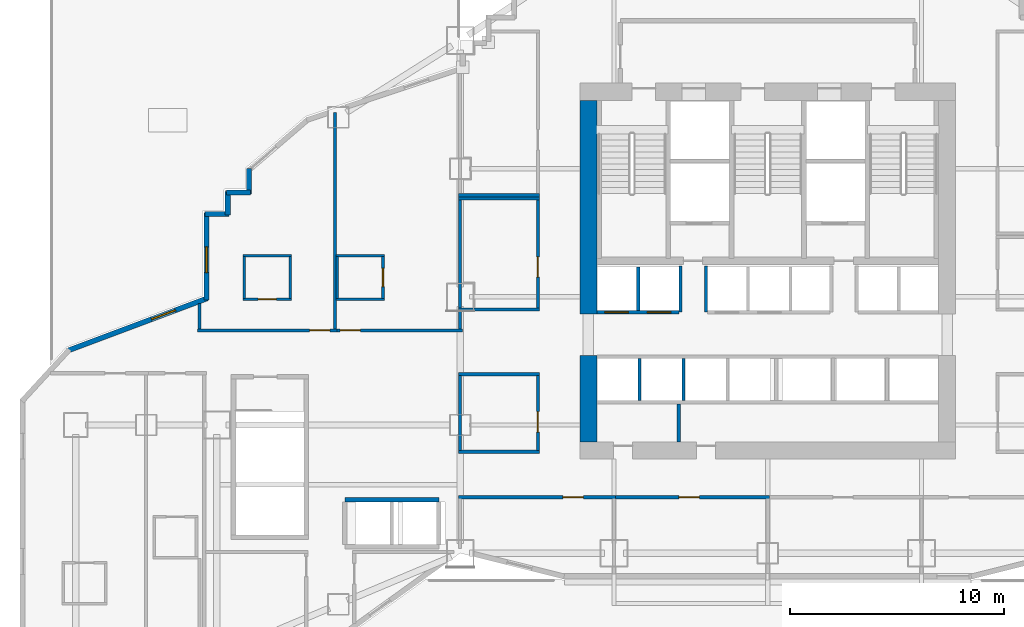
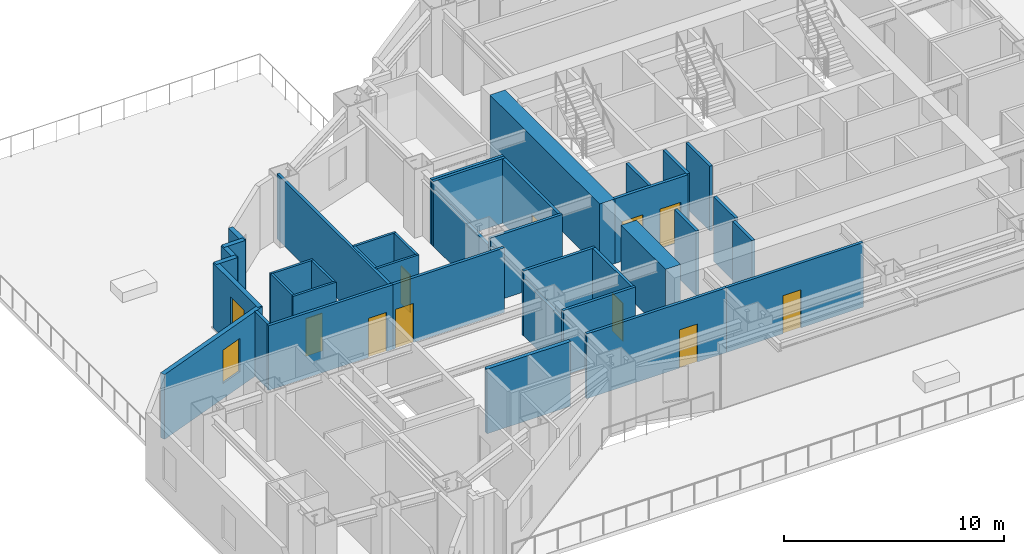
# One storey, part 8 of 20: 40 walls, 10 doors, 2 windows, 12 openings.
"""IFC4 building model written with IfcOpenShell, lengths in metres."""

from ifc_helpers import new_model, si_unit, direction, frame, frame_2d, origin, place, context, subcontext, project, spatial, rectangle, extrude, material, layer, layer_set, type_object, element, fill, save


model = new_model("IFC4")

# Units and contexts
model_context = context("Model", 3, precision=1e-05, world=origin(), true_north=direction((0.0, 1.0)))
body_context = subcontext(model_context, "Body", "Model", "MODEL_VIEW")
ifc_project = project(units=[si_unit("LENGTHUNIT", "METRE"), si_unit("AREAUNIT", "SQUARE_METRE"), si_unit("VOLUMEUNIT", "CUBIC_METRE"), si_unit("PLANEANGLEUNIT", "RADIAN"), si_unit("MASSUNIT", "GRAM", prefix="KILO")], contexts=[model_context])

# Site, building, storey
site_placement = place(None, origin())
site = spatial("IfcSite", under=ifc_project, at=site_placement, CompositionType="ELEMENT")
building_placement = place(site_placement, origin())
building = spatial("IfcBuilding", under=site, at=building_placement, Name="Haolan Belvedere Tower", CompositionType="ELEMENT")
storey_placement = place(building_placement, frame((0.0, 0.0, 24.0)))
storey = spatial("IfcBuildingStorey", under=building, at=storey_placement, Name="L05", CompositionType="ELEMENT", Elevation=24.0)

# Walls
ifc_material_1 = material(Name="Concrete C70/85", Category="concrete")
ifc_layer_1 = layer(ifc_material_1, 0.800048828125, Name="Concrete C70/85")
ifc_layer_set_1 = layer_set([ifc_layer_1], Name="Concrete C70/85")
wall_type_1 = type_object("IfcWallType", Name="WL-CORE-800", PredefinedType="SHEAR", material=ifc_layer_set_1)
wall_1_placement = place(storey_placement, frame((30.0, 26.800048828125, 0.0), z_axis=(0.0, 0.0, 1.0), x_axis=(0.0, 1.0, 0.0)))
element("IfcWall", 1, at=wall_1_placement, inside=storey, type_object=wall_type_1, Name="L05 central core shear wall WS", PredefinedType="SHEAR", context=body_context, shape_type="SweptSolid", body=[
    extrude(rectangle(XDim=4.050048828125, YDim=0.800048828125, at=frame_2d((2.02490234375, 0.0))), origin(), (0.0, 0.0, 1.0), 3.60009765625),
])
wall_2_placement = place(storey_placement, frame((30.0, 32.800048828125, 0.0), z_axis=(0.0, 0.0, 1.0), x_axis=(0.0, 1.0, 0.0)))
element("IfcWall", 2, at=wall_2_placement, inside=storey, type_object=wall_type_1, Name="L05 central core shear wall WN", PredefinedType="SHEAR", context=body_context, shape_type="SweptSolid", body=[
    extrude(rectangle(XDim=10.0, YDim=0.800048828125, at=frame_2d((5.0, 0.0))), origin(), (0.0, 0.0, 1.0), 3.60009765625),
])
ifc_material_2 = material(Name="Precast concrete C40/50", Category="concrete")
ifc_layer_2 = layer(ifc_material_2, 0.239990234375, Name="Precast concrete C40/50")
ifc_layer_set_2 = layer_set([ifc_layer_2], Name="Precast concrete C40/50")
wall_type_2 = type_object("IfcWallType", Name="WL-EXT-240", PredefinedType="SOLIDWALL", material=ifc_layer_set_2)
wall_3_placement = place(storey_placement, frame((14.1201171875, 39.599853515625, 0.0), z_axis=(0.0, 0.0, 1.0), x_axis=(0.0, -1.0, 0.0)))
element("IfcWall", 3, at=wall_3_placement, inside=storey, type_object=wall_type_2, Name="L05 pale-metal exterior spandrel wall 52.1", PredefinedType="SOLIDWALL", context=body_context, shape_type="SweptSolid", body=[
    extrude(rectangle(XDim=1.1748046875, YDim=0.239990234375, at=frame_2d((0.58740234375, 0.0))), origin(), (0.0, 0.0, 1.0), 3.60009765625),
])
wall_4_placement = place(storey_placement, frame((14.175048828125, 38.47998046875, 0.0), z_axis=(0.0, 0.0, 1.0), x_axis=(-1.0, 0.0, 0.0)))
element("IfcWall", 4, at=wall_4_placement, inside=storey, type_object=wall_type_2, Name="L05 pale-metal exterior spandrel wall 53.1", PredefinedType="SOLIDWALL", context=body_context, shape_type="SweptSolid", body=[
    extrude(rectangle(XDim=1.110107421875, YDim=0.239990234375, at=frame_2d((0.55517578125, 0.0))), origin(), (0.0, 0.0, 1.0), 3.60009765625),
])
wall_5_placement = place(storey_placement, frame((13.1201171875, 38.534912109375, 0.0), z_axis=(0.0, 0.0, 1.0), x_axis=(0.0, -1.0, 0.0)))
element("IfcWall", 5, at=wall_5_placement, inside=storey, type_object=wall_type_2, Name="L05 pale-metal exterior spandrel wall 54.1", PredefinedType="SOLIDWALL", context=body_context, shape_type="SweptSolid", body=[
    extrude(rectangle(XDim=1.10986328125, YDim=0.239990234375, at=frame_2d((0.554931640625, 0.0))), origin(), (0.0, 0.0, 1.0), 3.60009765625),
])
wall_6_placement = place(storey_placement, frame((13.175048828125, 37.47998046875, 0.0), z_axis=(0.0, 0.0, 1.0), x_axis=(-1.0, 0.0, 0.0)))
element("IfcWall", 6, at=wall_6_placement, inside=storey, type_object=wall_type_2, Name="L05 pale-metal exterior spandrel wall 55.1", PredefinedType="SOLIDWALL", context=body_context, shape_type="SweptSolid", body=[
    extrude(rectangle(XDim=1.110107421875, YDim=0.239990234375, at=frame_2d((0.55517578125, 0.0))), origin(), (0.0, 0.0, 1.0), 3.60009765625),
])

# Wall, opening, window
wall_7_placement = place(storey_placement, frame((12.1201171875, 37.534912109375, 0.0), z_axis=(0.0, 0.0, 1.0), x_axis=(0.0, -1.0, 0.0)))
wall_7 = element("IfcWall", 7, at=wall_7_placement, inside=storey, type_object=wall_type_2, Name="L05 pale-metal exterior spandrel wall 56.1", PredefinedType="SOLIDWALL", context=body_context, shape_type="SweptSolid", body=[
    extrude(rectangle(XDim=4.072998046875, YDim=0.239990234375, at=frame_2d((2.03662109375, 0.0))), origin(), (0.0, 0.0, 1.0), 3.60009765625),
])
opening_1_placement = place(wall_7_placement, frame((1.60009765625, 0.0, 0.85009765625)))
opening_1 = element("IfcOpeningElement", 8, at=opening_1_placement, cuts=wall_7, Name="Opening W-01", PredefinedType="OPENING", context=body_context, shape_type="SweptSolid", body=[
    extrude(rectangle(XDim=1.199951171875, YDim=1.85009765625, at=frame_2d((0.60009765625, 0.925048828125))), frame((0.0, 0.1298828125, 0.0), z_axis=(0.0, -1.0, 0.0), x_axis=(1.0, 0.0, 0.0)), (0.0, 0.0, 1.0), 0.260009765625),
])
ifc_material_3 = material(Name="Anodised aluminium 6063-T6 and Low-E glass", Category="aluminium")
window_type = type_object("IfcWindowType", Name="WN-DECO-Z1", PartitioningType="SINGLE_PANEL", PredefinedType="WINDOW", material=ifc_material_3)
window_1_placement = place(opening_1_placement, origin())
window_1 = element("IfcWindow", 9, at=window_1_placement, inside=storey, type_object=window_type, Name="L05 Art Deco chevron window 1", OverallHeight=1.85009765625, OverallWidth=1.199951171875, PartitioningType="SINGLE_PANEL", PredefinedType="WINDOW", context=body_context, shape_type="SweptSolid", body=[
    extrude(rectangle(XDim=1.199951171875, YDim=1.85009765625, at=frame_2d((0.60009765625, 0.925048828125))), frame((0.0, 0.030029296875, 0.0), z_axis=(0.0, -1.0, 0.0), x_axis=(1.0, 0.0, 0.0)), (0.0, 0.0, 1.0), 0.06005859375),
])
fill(opening_1, window_1)

wall_8_placement = place(storey_placement, frame((12.17138671875, 33.5361328125, 0.0), z_axis=(0.0, 0.0, 1.0), x_axis=(-0.936327744176, -0.351127263946, 0.0)))
wall_8 = element("IfcWall", 10, at=wall_8_placement, inside=storey, type_object=wall_type_2, Name="L05 pale-metal exterior spandrel wall 57.1", PredefinedType="SOLIDWALL", context=body_context, shape_type="SweptSolid", body=[
    extrude(rectangle(XDim=6.999755859375, YDim=0.239990234375, at=frame_2d((3.5, 0.0))), origin(), (0.0, 0.0, 1.0), 3.60009765625),
])
opening_2_placement = place(wall_8_placement, frame((1.60009765625, 0.0, 0.85009765625)))
opening_2 = element("IfcOpeningElement", 11, at=opening_2_placement, cuts=wall_8, Name="Opening W-01", PredefinedType="OPENING", context=body_context, shape_type="SweptSolid", body=[
    extrude(rectangle(XDim=1.199951171875, YDim=1.85009765625, at=frame_2d((0.60009765625, 0.925048828125))), frame((0.0, 0.1298828125, 0.0), z_axis=(0.0, -1.0, 0.0), x_axis=(1.0, 0.0, 0.0)), (0.0, 0.0, 1.0), 0.260009765625),
])
window_2_placement = place(opening_2_placement, origin())
window_2 = element("IfcWindow", 12, at=window_2_placement, inside=storey, type_object=window_type, Name="L05 Art Deco chevron window 1", OverallHeight=1.85009765625, OverallWidth=1.199951171875, PartitioningType="SINGLE_PANEL", PredefinedType="WINDOW", context=body_context, shape_type="SweptSolid", body=[
    extrude(rectangle(XDim=1.199951171875, YDim=1.85009765625, at=frame_2d((0.60009765625, 0.925048828125))), frame((0.0, 0.030029296875, 0.0), z_axis=(0.0, -1.0, 0.0), x_axis=(1.0, 0.0, 0.0)), (0.0, 0.0, 1.0), 0.06005859375),
])
fill(opening_2, window_2)

# Walls
ifc_material_4 = material(Name="Double gypsum acoustic stud partition", Category="masonry")
ifc_layer_3 = layer(ifc_material_4, 0.14990234375, Name="Double gypsum acoustic stud partition")
ifc_layer_set_3 = layer_set([ifc_layer_3], Name="Double gypsum acoustic stud partition")
wall_type_3 = type_object("IfcWallType", Name="WL-PART-150", PredefinedType="PARTITIONING", material=ifc_layer_set_3)
wall_9_placement = place(storey_placement, frame((34.22998046875, 26.81005859375, 0.0), z_axis=(0.0, 0.0, 1.0), x_axis=(0.0, 1.0, 0.0)))
element("IfcWall", 13, at=wall_9_placement, inside=storey, type_object=wall_type_3, Name="L05 interior partition IW-L05-SCV-DIV-1", PredefinedType="PARTITIONING", context=body_context, shape_type="SweptSolid", body=[
    extrude(rectangle(XDim=1.77001953125, YDim=0.14990234375, at=frame_2d((0.885009765625, 0.0))), origin(), (0.0, 0.0, 1.0), 3.60009765625),
])
for number, where, z_axis, x_axis, name in (
    (14, (23.919921875, 38.199951171875, 0.0), (0.0, 0.0, 1.0), (1.0, 0.0, 0.0), "L05 interior partition IW-L05-HSK-N"),
    (15, (23.919921875, 33.0, 0.0), (0.0, 0.0, 1.0), (1.0, 0.0, 0.0), "L05 interior partition IW-L05-HSK-S"),
):
    element("IfcWall", number, at=place(storey_placement, frame(where, z_axis=z_axis, x_axis=x_axis)), inside=storey, type_object=wall_type_3, Name=name, PredefinedType="PARTITIONING", context=body_context, shape_type="SweptSolid", body=[
        extrude(rectangle(XDim=3.800048828125, YDim=0.14990234375, at=frame_2d((1.89990234375, 0.0))), origin(), (0.0, 0.0, 1.0), 3.60009765625),
    ])
wall_10_placement = place(storey_placement, frame((24.0, 33.06005859375, 0.0), z_axis=(0.0, 0.0, 1.0), x_axis=(0.0, 1.0, 0.0)))
element("IfcWall", 16, at=wall_10_placement, inside=storey, type_object=wall_type_3, Name="L05 interior partition IW-L05-HSK-W", PredefinedType="PARTITIONING", context=body_context, shape_type="SweptSolid", body=[
    extrude(rectangle(XDim=5.079833984375, YDim=0.14990234375, at=frame_2d((2.5400390625, 0.0))), origin(), (0.0, 0.0, 1.0), 3.096923828125),
])

# Wall, opening, door
wall_11_placement = place(storey_placement, frame((27.639892578125, 33.06005859375, 0.0), z_axis=(0.0, 0.0, 1.0), x_axis=(0.0, 1.0, 0.0)))
wall_11 = element("IfcWall", 17, at=wall_11_placement, inside=storey, type_object=wall_type_3, Name="L05 interior partition IW-L05-HSK-E", PredefinedType="PARTITIONING", context=body_context, shape_type="SweptSolid", body=[
    extrude(rectangle(XDim=5.079833984375, YDim=0.14990234375, at=frame_2d((2.5400390625, 0.0))), origin(), (0.0, 0.0, 1.0), 3.60009765625),
])
opening_3_placement = place(wall_11_placement, frame((2.409912109375, 0.0, 0.0), z_axis=(0.0, 0.0, 1.0), x_axis=(-1.0, 0.0, 0.0)))
opening_3 = element("IfcOpeningElement", 18, at=opening_3_placement, cuts=wall_11, Name="Opening ID-03", PredefinedType="OPENING", context=body_context, shape_type="SweptSolid", body=[
    extrude(rectangle(XDim=0.949951171875, YDim=2.1201171875, at=frame_2d((0.47509765625, 1.06005859375))), frame((0.0, 0.0849609375, 0.0), z_axis=(0.0, -1.0, 0.0), x_axis=(1.0, 0.0, 0.0)), (0.0, 0.0, 1.0), 0.169921875),
])
ifc_material_5 = material(Name="Painted solid-core timber", Category="wood")
door_type_1 = type_object("IfcDoorType", Name="DR-INT-950", OperationType="NOTDEFINED", PredefinedType="DOOR", material=ifc_material_5)
door_1_placement = place(opening_3_placement, origin())
door_1 = element("IfcDoor", 19, at=door_1_placement, inside=storey, type_object=door_type_1, Name="L05 door ID-L05-HSK", OperationType="SINGLE_SWING_LEFT", OverallHeight=2.1201171875, OverallWidth=0.949951171875, PredefinedType="DOOR", context=body_context, shape_type="SweptSolid", body=[
    extrude(rectangle(XDim=0.949951171875, YDim=2.1201171875, at=frame_2d((0.47509765625, 1.06005859375))), frame((0.0, 0.02490234375, 0.0), z_axis=(0.0, -1.0, 0.0), x_axis=(1.0, 0.0, 0.0)), (0.0, 0.0, 1.0), 0.050048828125),
])
fill(opening_3, door_1)

# Walls
for number, where, z_axis, x_axis, name in (
    (20, (23.919921875, 38.360107421875, 0.0), (0.0, 0.0, 1.0), (1.0, 0.0, 0.0), "L05 interior partition IW-L05-VLT-S"),
    (21, (23.919921875, 29.97998046875, 0.0), (0.0, 0.0, 1.0), (1.0, 0.0, 0.0), "L05 interior partition IW-L05-PKTW-N"),
    (22, (23.919921875, 26.35009765625, 0.0), (0.0, 0.0, 1.0), (1.0, 0.0, 0.0), "L05 interior partition IW-L05-PKTW-S"),
):
    element("IfcWall", number, at=place(storey_placement, frame(where, z_axis=z_axis, x_axis=x_axis)), inside=storey, type_object=wall_type_3, Name=name, PredefinedType="PARTITIONING", context=body_context, shape_type="SweptSolid", body=[
        extrude(rectangle(XDim=3.800048828125, YDim=0.14990234375, at=frame_2d((1.89990234375, 0.0))), origin(), (0.0, 0.0, 1.0), 3.60009765625),
    ])
wall_12_placement = place(storey_placement, frame((24.0, 26.409912109375, 0.0), z_axis=(0.0, 0.0, 1.0), x_axis=(0.0, 1.0, 0.0)))
element("IfcWall", 23, at=wall_12_placement, inside=storey, type_object=wall_type_3, Name="L05 interior partition IW-L05-PKTW-W", PredefinedType="PARTITIONING", context=body_context, shape_type="SweptSolid", body=[
    extrude(rectangle(XDim=3.510009765625, YDim=0.14990234375, at=frame_2d((1.7548828125, 0.0))), origin(), (0.0, 0.0, 1.0), 3.096923828125),
])

# Wall, opening, door
wall_13_placement = place(storey_placement, frame((27.639892578125, 26.409912109375, 0.0), z_axis=(0.0, 0.0, 1.0), x_axis=(0.0, 1.0, 0.0)))
wall_13 = element("IfcWall", 24, at=wall_13_placement, inside=storey, type_object=wall_type_3, Name="L05 interior partition IW-L05-PKTW-E", PredefinedType="PARTITIONING", context=body_context, shape_type="SweptSolid", body=[
    extrude(rectangle(XDim=3.510009765625, YDim=0.14990234375, at=frame_2d((1.7548828125, 0.0))), origin(), (0.0, 0.0, 1.0), 3.60009765625),
])
opening_4_placement = place(wall_13_placement, frame((1.81005859375, 0.0, 0.0), z_axis=(0.0, 0.0, 1.0), x_axis=(-1.0, 0.0, 0.0)))
opening_4 = element("IfcOpeningElement", 25, at=opening_4_placement, cuts=wall_13, Name="Opening ID-03", PredefinedType="OPENING", context=body_context, shape_type="SweptSolid", body=[
    extrude(rectangle(XDim=0.949951171875, YDim=2.1201171875, at=frame_2d((0.47509765625, 1.06005859375))), frame((0.0, 0.0849609375, 0.0), z_axis=(0.0, -1.0, 0.0), x_axis=(1.0, 0.0, 0.0)), (0.0, 0.0, 1.0), 0.169921875),
])
door_2_placement = place(opening_4_placement, origin())
door_2 = element("IfcDoor", 26, at=door_2_placement, inside=storey, type_object=door_type_1, Name="L05 door ID-L05-PKTW", OperationType="SINGLE_SWING_LEFT", OverallHeight=2.1201171875, OverallWidth=0.949951171875, PredefinedType="DOOR", context=body_context, shape_type="SweptSolid", body=[
    extrude(rectangle(XDim=0.949951171875, YDim=2.1201171875, at=frame_2d((0.47509765625, 1.06005859375))), frame((0.0, 0.02490234375, 0.0), z_axis=(0.0, -1.0, 0.0), x_axis=(1.0, 0.0, 0.0)), (0.0, 0.0, 1.0), 0.050048828125),
])
fill(opening_4, door_2)

wall_14_placement = place(storey_placement, frame((23.919921875, 24.219970703125, 0.0), z_axis=(0.0, 0.0, 1.0), x_axis=(1.0, 0.0, 0.0)))
wall_14 = element("IfcWall", 27, at=wall_14_placement, inside=storey, type_object=wall_type_3, Name="L05 interior partition IW-L05-KS1-N", PredefinedType="PARTITIONING", context=body_context, shape_type="SweptSolid", body=[
    extrude(rectangle(XDim=7.360107421875, YDim=0.14990234375, at=frame_2d((3.68017578125, 0.0))), origin(), (0.0, 0.0, 1.0), 3.60009765625),
])
opening_5_placement = place(wall_14_placement, frame((5.844970703125, 0.0, 0.0), z_axis=(0.0, 0.0, 1.0), x_axis=(-1.0, 0.0, 0.0)))
opening_5 = element("IfcOpeningElement", 28, at=opening_5_placement, cuts=wall_14, Name="Opening ID-03", PredefinedType="OPENING", context=body_context, shape_type="SweptSolid", body=[
    extrude(rectangle(XDim=0.949951171875, YDim=2.1201171875, at=frame_2d((0.47509765625, 1.06005859375))), frame((0.0, 0.0849609375, 0.0), z_axis=(0.0, -1.0, 0.0), x_axis=(1.0, 0.0, 0.0)), (0.0, 0.0, 1.0), 0.169921875),
])
door_3_placement = place(opening_5_placement, origin())
door_3 = element("IfcDoor", 29, at=door_3_placement, inside=storey, type_object=door_type_1, Name="L05 door ID-L05-KS1", OperationType="SINGLE_SWING_LEFT", OverallHeight=2.1201171875, OverallWidth=0.949951171875, PredefinedType="DOOR", context=body_context, shape_type="SweptSolid", body=[
    extrude(rectangle(XDim=0.949951171875, YDim=2.1201171875, at=frame_2d((0.47509765625, 1.06005859375))), frame((0.0, 0.02490234375, 0.0), z_axis=(0.0, -1.0, 0.0), x_axis=(1.0, 0.0, 0.0)), (0.0, 0.0, 1.0), 0.050048828125),
])
fill(opening_5, door_3)

wall_15_placement = place(storey_placement, frame((31.281982421875, 24.219970703125, 0.0), z_axis=(0.0, 0.0, 1.0), x_axis=(1.0, 0.0, 0.0)))
wall_15 = element("IfcWall", 30, at=wall_15_placement, inside=storey, type_object=wall_type_3, Name="L05 interior partition IW-L05-KS2-N", PredefinedType="PARTITIONING", context=body_context, shape_type="SweptSolid", body=[
    extrude(rectangle(XDim=7.197998046875, YDim=0.14990234375, at=frame_2d((3.59912109375, 0.0))), origin(), (0.0, 0.0, 1.0), 3.60009765625),
])
opening_6_placement = place(wall_15_placement, frame((3.912841796875, 0.0, 0.0), z_axis=(0.0, 0.0, 1.0), x_axis=(-1.0, 0.0, 0.0)))
opening_6 = element("IfcOpeningElement", 31, at=opening_6_placement, cuts=wall_15, Name="Opening ID-03", PredefinedType="OPENING", context=body_context, shape_type="SweptSolid", body=[
    extrude(rectangle(XDim=0.949951171875, YDim=2.1201171875, at=frame_2d((0.47509765625, 1.06005859375))), frame((0.0, 0.0849609375, 0.0), z_axis=(0.0, -1.0, 0.0), x_axis=(1.0, 0.0, 0.0)), (0.0, 0.0, 1.0), 0.169921875),
])
door_4_placement = place(opening_6_placement, origin())
door_4 = element("IfcDoor", 32, at=door_4_placement, inside=storey, type_object=door_type_1, Name="L05 door ID-L05-KS2", OperationType="SINGLE_SWING_RIGHT", OverallHeight=2.1201171875, OverallWidth=0.949951171875, PredefinedType="DOOR", context=body_context, shape_type="SweptSolid", body=[
    extrude(rectangle(XDim=0.949951171875, YDim=2.1201171875, at=frame_2d((0.47509765625, 1.06005859375))), frame((0.0, 0.02490234375, 0.0), z_axis=(0.0, -1.0, 0.0), x_axis=(1.0, 0.0, 0.0)), (0.0, 0.0, 1.0), 0.050048828125),
])
fill(opening_6, door_4)

wall_16_placement = place(storey_placement, frame((11.699951171875, 32.030029296875, 0.0), z_axis=(0.0, 0.0, 1.0), x_axis=(1.0, 0.0, 0.0)))
wall_16 = element("IfcWall", 33, at=wall_16_placement, inside=storey, type_object=wall_type_3, Name="L05 interior partition IW-L05-T2N1-S", PredefinedType="PARTITIONING", context=body_context, shape_type="SweptSolid", body=[
    extrude(rectangle(XDim=6.5400390625, YDim=0.14990234375, at=frame_2d((3.27001953125, 0.0))), origin(), (0.0, 0.0, 1.0), 3.60009765625),
])
opening_7_placement = place(wall_16_placement, frame((5.25439453125, 0.0, 0.0)))
opening_7 = element("IfcOpeningElement", 34, at=opening_7_placement, cuts=wall_16, Name="Opening ID-01", PredefinedType="OPENING", context=body_context, shape_type="SweptSolid", body=[
    extrude(rectangle(XDim=0.949951171875, YDim=2.179931640625, at=frame_2d((0.47509765625, 1.08984375))), frame((0.0, 0.0849609375, 0.0), z_axis=(0.0, -1.0, 0.0), x_axis=(1.0, 0.0, 0.0)), (0.0, 0.0, 1.0), 0.169921875),
])
ifc_material_6 = material(Name="Acoustic walnut veneer fire-rated timber", Category="wood")
door_type_2 = type_object("IfcDoorType", Name="DR-SUITE-950", OperationType="NOTDEFINED", PredefinedType="DOOR", material=ifc_material_6)
door_5_placement = place(opening_7_placement, origin())
door_5 = element("IfcDoor", 35, at=door_5_placement, inside=storey, type_object=door_type_2, Name="L05 door ID-L05-T2N1-ENT", OperationType="SINGLE_SWING_LEFT", OverallHeight=2.179931640625, OverallWidth=0.949951171875, PredefinedType="DOOR", context=body_context, shape_type="SweptSolid", body=[
    extrude(rectangle(XDim=0.949951171875, YDim=2.179931640625, at=frame_2d((0.47509765625, 1.08984375))), frame((0.0, 0.02490234375, 0.0), z_axis=(0.0, -1.0, 0.0), x_axis=(1.0, 0.0, 0.0)), (0.0, 0.0, 1.0), 0.050048828125),
])
fill(opening_7, door_5)

# Walls
wall_17_placement = place(storey_placement, frame((11.800048828125, 32.090087890625, 0.0), z_axis=(0.0, 0.0, 1.0), x_axis=(0.0, 1.0, 0.0)))
element("IfcWall", 36, at=wall_17_placement, inside=storey, type_object=wall_type_3, Name="L05 interior partition IW-L05-T2N1-W", PredefinedType="PARTITIONING", context=body_context, shape_type="SweptSolid", body=[
    extrude(rectangle(XDim=1.194580078125, YDim=0.14990234375, at=frame_2d((0.59716796875, 0.0))), origin(), (0.0, 0.0, 1.0), 3.60009765625),
])
wall_18_placement = place(storey_placement, frame((18.139892578125, 32.090087890625, 0.0), z_axis=(0.0, 0.0, 1.0), x_axis=(0.0, 1.0, 0.0)))
element("IfcWall", 37, at=wall_18_placement, inside=storey, type_object=wall_type_3, Name="L05 interior partition IW-L05-T2N1-E", PredefinedType="PARTITIONING", context=body_context, shape_type="SweptSolid", body=[
    extrude(rectangle(XDim=10.133056640625, YDim=0.14990234375, at=frame_2d((5.06640625, 0.0))), origin(), (0.0, 0.0, 1.0), 3.60009765625),
])

# Wall, opening, door
wall_19_placement = place(storey_placement, frame((18.241943359375, 32.030029296875, 0.0), z_axis=(0.0, 0.0, 1.0), x_axis=(1.0, 0.0, 0.0)))
wall_19 = element("IfcWall", 38, at=wall_19_placement, inside=storey, type_object=wall_type_3, Name="L05 interior partition IW-L05-T2N2-S", PredefinedType="PARTITIONING", context=body_context, shape_type="SweptSolid", body=[
    extrude(rectangle(XDim=5.858154296875, YDim=0.14990234375, at=frame_2d((2.92919921875, 0.0))), origin(), (0.0, 0.0, 1.0), 3.60009765625),
])
opening_8_placement = place(wall_19_placement, frame((0.139892578125, 0.0, 0.0)))
opening_8 = element("IfcOpeningElement", 39, at=opening_8_placement, cuts=wall_19, Name="Opening ID-01", PredefinedType="OPENING", context=body_context, shape_type="SweptSolid", body=[
    extrude(rectangle(XDim=0.949951171875, YDim=2.179931640625, at=frame_2d((0.47509765625, 1.08984375))), frame((0.0, 0.0849609375, 0.0), z_axis=(0.0, -1.0, 0.0), x_axis=(1.0, 0.0, 0.0)), (0.0, 0.0, 1.0), 0.169921875),
])
door_6_placement = place(opening_8_placement, origin())
door_6 = element("IfcDoor", 40, at=door_6_placement, inside=storey, type_object=door_type_2, Name="L05 door ID-L05-T2N2-ENT", OperationType="SINGLE_SWING_RIGHT", OverallHeight=2.179931640625, OverallWidth=0.949951171875, PredefinedType="DOOR", context=body_context, shape_type="SweptSolid", body=[
    extrude(rectangle(XDim=0.949951171875, YDim=2.179931640625, at=frame_2d((0.47509765625, 1.08984375))), frame((0.0, 0.02490234375, 0.0), z_axis=(0.0, -1.0, 0.0), x_axis=(1.0, 0.0, 0.0)), (0.0, 0.0, 1.0), 0.050048828125),
])
fill(opening_8, door_6)

# Walls
wall_20_placement = place(storey_placement, frame((24.0, 32.090087890625, 0.0), z_axis=(0.0, 0.0, 1.0), x_axis=(0.0, 1.0, 0.0)))
element("IfcWall", 41, at=wall_20_placement, inside=storey, type_object=wall_type_3, Name="L05 interior partition IW-L05-T2N2-E", PredefinedType="PARTITIONING", context=body_context, shape_type="SweptSolid", body=[
    extrude(rectangle(XDim=0.849853515625, YDim=0.14990234375, at=frame_2d((0.4248046875, 0.0))), origin(), (0.0, 0.0, 1.0), 3.096923828125),
])
ifc_material_7 = material(Name="Gypsum fire shaftwall assembly", Category="masonry")
ifc_layer_4 = layer(ifc_material_7, 0.1650390625, Name="Gypsum fire shaftwall assembly")
ifc_layer_set_4 = layer_set([ifc_layer_4], Name="Gypsum fire shaftwall assembly")
wall_type_4 = type_object("IfcWallType", Name="WL-SHAFT-160", PredefinedType="SOLIDWALL", material=ifc_layer_set_4)
for number, where, z_axis, x_axis, name in (
    (42, (34.31005859375, 32.8798828125, 0.0), (0.0, 0.0, 1.0), (0.0, 1.0, 0.0), "L05 interior partition IW-L05-SVP-W-SV1"),
    (43, (35.510009765625, 32.8798828125, 0.0), (0.0, 0.0, 1.0), (0.0, 1.0, 0.0), "L05 interior partition IW-L05-SVP-E-SV1"),
):
    element("IfcWall", number, at=place(storey_placement, frame(where, z_axis=z_axis, x_axis=x_axis)), inside=storey, type_object=wall_type_4, Name=name, PredefinedType="SOLIDWALL", context=body_context, shape_type="SweptSolid", body=[
        extrude(rectangle(XDim=2.170166015625, YDim=0.14990234375, at=frame_2d((1.0849609375, 0.0))), origin(), (0.0, 0.0, 1.0), 3.60009765625),
    ])

# Wall, openings, doors
wall_21_placement = place(storey_placement, frame((30.39990234375, 32.8798828125, 0.0), z_axis=(0.0, 0.0, 1.0), x_axis=(1.0, 0.0, 0.0)))
wall_21 = element("IfcWall", 44, at=wall_21_placement, inside=storey, type_object=wall_type_4, Name="L05 interior partition IW-L05-ROW-PN1", PredefinedType="SOLIDWALL", context=body_context, shape_type="SweptSolid", body=[
    extrude(rectangle(XDim=3.85009765625, YDim=0.159912109375, at=frame_2d((1.925048828125, 0.0))), origin(), (0.0, 0.0, 1.0), 3.60009765625),
])
opening_9_placement = place(wall_21_placement, frame((1.47998046875, 0.0, 0.0), z_axis=(0.0, 0.0, 1.0), x_axis=(-1.0, 0.0, 0.0)))
opening_9 = element("IfcOpeningElement", 45, at=opening_9_placement, cuts=wall_21, Name="Opening LD-01", PredefinedType="OPENING", context=body_context, shape_type="SweptSolid", body=[
    extrude(rectangle(XDim=1.10009765625, YDim=2.199951171875, at=frame_2d((0.550048828125, 1.10009765625))), frame((0.0, 0.08984375, 0.0), z_axis=(0.0, -1.0, 0.0), x_axis=(1.0, 0.0, 0.0)), (0.0, 0.0, 1.0), 0.179931640625),
])
opening_10_placement = place(wall_21_placement, frame((3.47021484375, 0.0, 0.0), z_axis=(0.0, 0.0, 1.0), x_axis=(-1.0, 0.0, 0.0)))
opening_10 = element("IfcOpeningElement", 46, at=opening_10_placement, cuts=wall_21, Name="Opening LD-01", PredefinedType="OPENING", context=body_context, shape_type="SweptSolid", body=[
    extrude(rectangle(XDim=1.10009765625, YDim=2.199951171875, at=frame_2d((0.550048828125, 1.10009765625))), frame((0.0, 0.08984375, 0.0), z_axis=(0.0, -1.0, 0.0), x_axis=(1.0, 0.0, 0.0)), (0.0, 0.0, 1.0), 0.179931640625),
])
ifc_material_8 = material(Name="Brushed champagne stainless steel 316L", Category="steel")
door_type_3 = type_object("IfcDoorType", Name="DR-LIFT-1100", OperationType="SLIDING_TO_LEFT", PredefinedType="DOOR", material=ifc_material_8)
door_7_placement = place(opening_9_placement, origin())
door_7 = element("IfcDoor", 47, at=door_7_placement, inside=storey, type_object=door_type_3, Name="L05 door ID-L05-LD-PL1", OperationType="SLIDING_TO_LEFT", OverallHeight=2.199951171875, OverallWidth=1.10009765625, PredefinedType="DOOR", context=body_context, shape_type="SweptSolid", body=[
    extrude(rectangle(XDim=1.10009765625, YDim=2.199951171875, at=frame_2d((0.550048828125, 1.10009765625))), frame((0.0, 0.02490234375, 0.0), z_axis=(0.0, -1.0, 0.0), x_axis=(1.0, 0.0, 0.0)), (0.0, 0.0, 1.0), 0.050048828125),
])
fill(opening_9, door_7)
door_8_placement = place(opening_10_placement, origin())
door_8 = element("IfcDoor", 48, at=door_8_placement, inside=storey, type_object=door_type_3, Name="L05 door ID-L05-LD-PL2", OperationType="SLIDING_TO_LEFT", OverallHeight=2.199951171875, OverallWidth=1.10009765625, PredefinedType="DOOR", context=body_context, shape_type="SweptSolid", body=[
    extrude(rectangle(XDim=1.10009765625, YDim=2.199951171875, at=frame_2d((0.550048828125, 1.10009765625))), frame((0.0, 0.02490234375, 0.0), z_axis=(0.0, -1.0, 0.0), x_axis=(1.0, 0.0, 0.0)), (0.0, 0.0, 1.0), 0.050048828125),
])
fill(opening_10, door_8)

# Walls
wall_22_placement = place(storey_placement, frame((32.340087890625, 32.949951171875, 0.0), z_axis=(0.0, 0.0, 1.0), x_axis=(0.0, 1.0, 0.0)))
element("IfcWall", 49, at=wall_22_placement, inside=storey, type_object=wall_type_4, Name="L05 interior partition IW-L05-DIV-PL1", PredefinedType="SOLIDWALL", context=body_context, shape_type="SweptSolid", body=[
    extrude(rectangle(XDim=2.050048828125, YDim=0.14990234375, at=frame_2d((1.02490234375, 0.0))), origin(), (0.0, 0.0, 1.0), 3.60009765625),
])
for number, where, z_axis, x_axis, name in (
    (50, (32.39990234375, 28.735107421875, 0.0), (0.0, 0.0, 1.0), (0.0, 1.0, 0.0), "L05 interior partition IW-L05-DIV-PM1"),
    (51, (34.4599609375, 28.735107421875, 0.0), (0.0, 0.0, 1.0), (0.0, 1.0, 0.0), "L05 interior partition IW-L05-DIV-PM2"),
):
    element("IfcWall", number, at=place(storey_placement, frame(where, z_axis=z_axis, x_axis=x_axis)), inside=storey, type_object=wall_type_4, Name=name, PredefinedType="SOLIDWALL", context=body_context, shape_type="SweptSolid", body=[
        extrude(rectangle(XDim=1.98486328125, YDim=0.14990234375, at=frame_2d((0.992431640625, 0.0))), origin(), (0.0, 0.0, 1.0), 3.60009765625),
    ])
ifc_layer_5 = layer(ifc_material_2, 0.205078125, Name="Precast concrete C40/50")
ifc_layer_set_5 = layer_set([ifc_layer_5], Name="Precast concrete C40/50")
wall_type_5 = type_object("IfcWallType", Name="WL-SHAFT-200", PredefinedType="SOLIDWALL", material=ifc_layer_set_5)
wall_23_placement = place(storey_placement, frame((18.60009765625, 24.10009765625, 0.0), z_axis=(0.0, 0.0, 1.0), x_axis=(1.0, 0.0, 0.0)))
element("IfcWall", 52, at=wall_23_placement, inside=storey, type_object=wall_type_5, Name="L05 interior partition IW-L05-PB-N", PredefinedType="SOLIDWALL", context=body_context, shape_type="SweptSolid", body=[
    extrude(rectangle(XDim=4.39990234375, YDim=0.199951171875, at=frame_2d((2.199951171875, 0.0))), origin(), (0.0, 0.0, 1.0), 3.60009765625),
])
ifc_material_9 = material(Name="Moisture-resistant gypsum tile partition", Category="masonry")
ifc_layer_6 = layer(ifc_material_9, 0.1201171875, Name="Moisture-resistant gypsum tile partition")
ifc_layer_set_6 = layer_set([ifc_layer_6], Name="Moisture-resistant gypsum tile partition")
wall_type_6 = type_object("IfcWallType", Name="WL-WET-120", PredefinedType="PARTITIONING", material=ifc_layer_set_6)
wall_24_placement = place(storey_placement, frame((13.8349609375, 35.530029296875, 0.0), z_axis=(0.0, 0.0, 1.0), x_axis=(1.0, 0.0, 0.0)))
element("IfcWall", 53, at=wall_24_placement, inside=storey, type_object=wall_type_6, Name="L05 interior partition IW-L05-T2N1-BN", PredefinedType="PARTITIONING", context=body_context, shape_type="SweptSolid", body=[
    extrude(rectangle(XDim=2.27001953125, YDim=0.1201171875, at=frame_2d((1.135009765625, 0.0))), origin(), (0.0, 0.0, 1.0), 3.60009765625),
])

# Wall, opening, door
wall_25_placement = place(storey_placement, frame((13.8349609375, 33.47998046875, 0.0), z_axis=(0.0, 0.0, 1.0), x_axis=(1.0, 0.0, 0.0)))
wall_25 = element("IfcWall", 54, at=wall_25_placement, inside=storey, type_object=wall_type_6, Name="L05 interior partition IW-L05-T2N1-BS", PredefinedType="PARTITIONING", context=body_context, shape_type="SweptSolid", body=[
    extrude(rectangle(XDim=2.27001953125, YDim=0.1201171875, at=frame_2d((1.135009765625, 0.0))), origin(), (0.0, 0.0, 1.0), 3.60009765625),
])
opening_11_placement = place(wall_25_placement, frame((0.7099609375, 0.0, 0.0)))
opening_11 = element("IfcOpeningElement", 55, at=opening_11_placement, cuts=wall_25, Name="Opening ID-05", PredefinedType="OPENING", context=body_context, shape_type="SweptSolid", body=[
    extrude(rectangle(XDim=0.85009765625, YDim=2.10009765625, at=frame_2d((0.425048828125, 1.050048828125))), frame((0.0, 0.070068359375, 0.0), z_axis=(0.0, -1.0, 0.0), x_axis=(1.0, 0.0, 0.0)), (0.0, 0.0, 1.0), 0.14013671875),
])
ifc_material_10 = material(Name="Moisture-resistant lacquered timber", Category="wood")
door_type_4 = type_object("IfcDoorType", Name="DR-BATH-850", OperationType="NOTDEFINED", PredefinedType="DOOR", material=ifc_material_10)
door_9_placement = place(opening_11_placement, origin())
door_9 = element("IfcDoor", 56, at=door_9_placement, inside=storey, type_object=door_type_4, Name="L05 door ID-L05-T2N1-BATH", OperationType="SINGLE_SWING_RIGHT", OverallHeight=2.10009765625, OverallWidth=0.85009765625, PredefinedType="DOOR", context=body_context, shape_type="SweptSolid", body=[
    extrude(rectangle(XDim=0.85009765625, YDim=2.10009765625, at=frame_2d((0.425048828125, 1.050048828125))), frame((0.0, 0.02490234375, 0.0), z_axis=(0.0, -1.0, 0.0), x_axis=(1.0, 0.0, 0.0)), (0.0, 0.0, 1.0), 0.050048828125),
])
fill(opening_11, door_9)

# Walls
for number, where, z_axis, x_axis, name in (
    (57, (13.89501953125, 33.52490234375, 0.0), (0.0, 0.0, 1.0), (0.0, 1.0, 0.0), "L05 interior partition IW-L05-T2N1-BW"),
    (58, (16.044921875, 33.52490234375, 0.0), (0.0, 0.0, 1.0), (0.0, 1.0, 0.0), "L05 interior partition IW-L05-T2N1-BE"),
):
    element("IfcWall", number, at=place(storey_placement, frame(where, z_axis=z_axis, x_axis=x_axis)), inside=storey, type_object=wall_type_6, Name=name, PredefinedType="PARTITIONING", context=body_context, shape_type="SweptSolid", body=[
        extrude(rectangle(XDim=1.960205078125, YDim=0.1201171875, at=frame_2d((0.97998046875, 0.0))), origin(), (0.0, 0.0, 1.0), 3.60009765625),
    ])
for number, where, z_axis, x_axis, name in (
    (59, (18.199951171875, 35.530029296875, 0.0), (0.0, 0.0, 1.0), (1.0, 0.0, 0.0), "L05 interior partition IW-L05-T2N2-BN"),
    (60, (18.199951171875, 33.47998046875, 0.0), (0.0, 0.0, 1.0), (1.0, 0.0, 0.0), "L05 interior partition IW-L05-T2N2-BS"),
):
    element("IfcWall", number, at=place(storey_placement, frame(where, z_axis=z_axis, x_axis=x_axis)), inside=storey, type_object=wall_type_6, Name=name, PredefinedType="PARTITIONING", context=body_context, shape_type="SweptSolid", body=[
        extrude(rectangle(XDim=2.25, YDim=0.1201171875, at=frame_2d((1.125, 0.0))), origin(), (0.0, 0.0, 1.0), 3.60009765625),
    ])
wall_26_placement = place(storey_placement, frame((18.239990234375, 33.52490234375, 0.0), z_axis=(0.0, 0.0, 1.0), x_axis=(0.0, 1.0, 0.0)))
element("IfcWall", 61, at=wall_26_placement, inside=storey, type_object=wall_type_6, Name="L05 interior partition IW-L05-T2N2-BW", PredefinedType="PARTITIONING", context=body_context, shape_type="SweptSolid", body=[
    extrude(rectangle(XDim=1.960205078125, YDim=0.1201171875, at=frame_2d((0.97998046875, 0.0))), origin(), (0.0, 0.0, 1.0), 3.60009765625),
])

# Wall, opening, door
wall_27_placement = place(storey_placement, frame((20.389892578125, 33.52490234375, 0.0), z_axis=(0.0, 0.0, 1.0), x_axis=(0.0, 1.0, 0.0)))
wall_27 = element("IfcWall", 62, at=wall_27_placement, inside=storey, type_object=wall_type_6, Name="L05 interior partition IW-L05-T2N2-BE", PredefinedType="PARTITIONING", context=body_context, shape_type="SweptSolid", body=[
    extrude(rectangle(XDim=1.960205078125, YDim=0.1201171875, at=frame_2d((0.97998046875, 0.0))), origin(), (0.0, 0.0, 1.0), 3.60009765625),
])
opening_12_placement = place(wall_27_placement, frame((0.554931640625, 0.0, 0.0)))
opening_12 = element("IfcOpeningElement", 63, at=opening_12_placement, cuts=wall_27, Name="Opening ID-05", PredefinedType="OPENING", context=body_context, shape_type="SweptSolid", body=[
    extrude(rectangle(XDim=0.85009765625, YDim=2.10009765625, at=frame_2d((0.425048828125, 1.050048828125))), frame((0.0, 0.070068359375, 0.0), z_axis=(0.0, -1.0, 0.0), x_axis=(1.0, 0.0, 0.0)), (0.0, 0.0, 1.0), 0.14013671875),
])
door_10_placement = place(opening_12_placement, origin())
door_10 = element("IfcDoor", 64, at=door_10_placement, inside=storey, type_object=door_type_4, Name="L05 door ID-L05-T2N2-BATH", OperationType="SINGLE_SWING_LEFT", OverallHeight=2.10009765625, OverallWidth=0.85009765625, PredefinedType="DOOR", context=body_context, shape_type="SweptSolid", body=[
    extrude(rectangle(XDim=0.85009765625, YDim=2.10009765625, at=frame_2d((0.425048828125, 1.050048828125))), frame((0.0, 0.02490234375, 0.0), z_axis=(0.0, -1.0, 0.0), x_axis=(1.0, 0.0, 0.0)), (0.0, 0.0, 1.0), 0.050048828125),
])
fill(opening_12, door_10)

save(model, "model.ifc")
